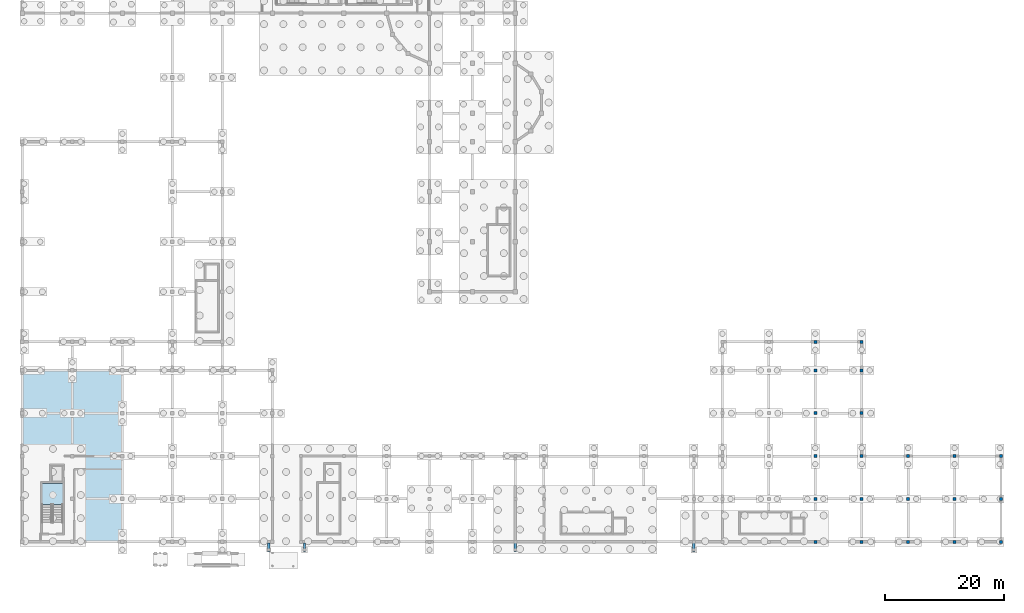
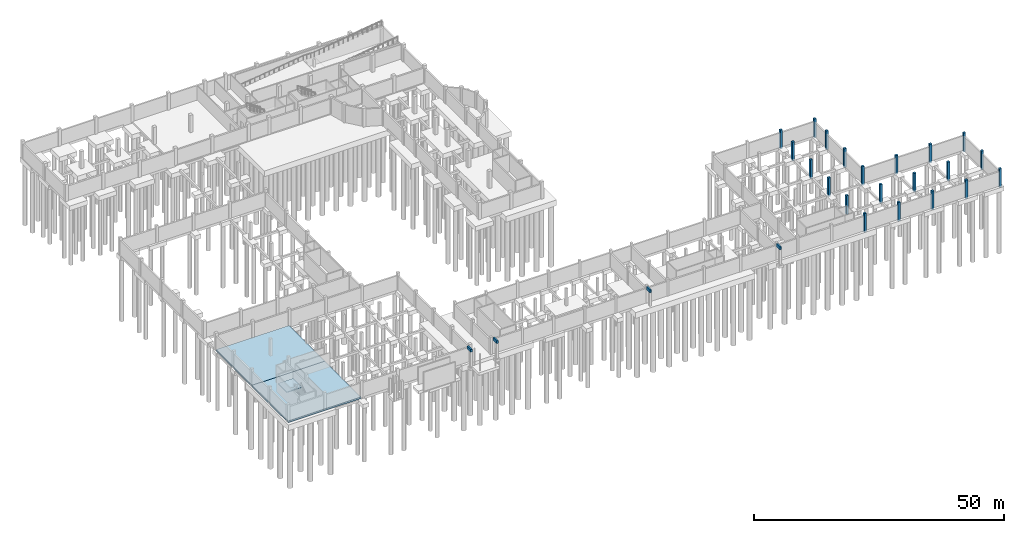
# One storey, part 13 of 22: 21 columns, 4 beams, 3 slabs, 1 element without a shape of its own.
"""IFC4 building model written with IfcOpenShell, lengths in metres."""

from ifc_helpers import new_model, si_unit, direction, frame, origin, origin_2d, place, context, subcontext, project, spatial, polyline, rectangle, outline, extrude, material, layer, layer_set, material_profile, profile_set, type_object, element, aggregate, save


model = new_model("IFC4")

# Units and contexts
model_context = context("Model", 3, precision=1e-05, world=origin(), true_north=direction((0.0, 1.0)))
body_context = subcontext(model_context, "Body", "Model", "MODEL_VIEW")
ifc_project = project(units=[si_unit("LENGTHUNIT", "METRE"), si_unit("AREAUNIT", "SQUARE_METRE"), si_unit("VOLUMEUNIT", "CUBIC_METRE"), si_unit("PLANEANGLEUNIT", "RADIAN"), si_unit("MASSUNIT", "GRAM", prefix="KILO")], contexts=[model_context])

# Site, building, storey
site_placement = place(None, origin())
site = spatial("IfcSite", under=ifc_project, at=site_placement, CompositionType="ELEMENT")
building_placement = place(site_placement, origin())
building = spatial("IfcBuilding", under=site, at=building_placement, Name="Kahlenmark Community Centre", CompositionType="ELEMENT")
storey_placement = place(building_placement, frame((0.0, 0.0, -4.199951171875)))
storey = spatial("IfcBuildingStorey", under=building, at=storey_placement, Name="B1", CompositionType="ELEMENT", Elevation=-4.199951171875)

# Columns
ifc_material_1 = material(Name="Concrete C35/45", Category="concrete")
ifc_material_profile_1 = material_profile(ifc_material_1, rectangle(XDim=0.5, YDim=0.5, at=origin_2d()), Name="RC 500x500")
ifc_profile_set_1 = profile_set([ifc_material_profile_1], Name="Concrete C35/45")
column_type = type_object("IfcColumnType", Name="CT-RC500", PredefinedType="COLUMN", material=ifc_profile_set_1)
for number, where, z_axis, x_axis, name in (
    (1, (137.199951171875, 8.800048828125, -0.400146484375), (0.0, 0.0, 1.0), (1.0, 0.0, 0.0), "B1 column (137.2, 8.8)"),
    (2, (137.199951171875, 16.0, -0.400146484375), (0.0, 0.0, 1.0), (1.0, 0.0, 0.0), "B1 column (137.2, 16.0)"),
    (3, (137.199951171875, 23.199951171875, -0.400146484375), (0.0, 0.0, 1.0), (1.0, 0.0, 0.0), "B1 column (137.2, 23.2)"),
    (4, (137.199951171875, 30.39990234375, -0.400146484375), (0.0, 0.0, 1.0), (1.0, 0.0, 0.0), "B1 column (137.2, 30.4)"),
    (5, (137.199951171875, 37.60009765625, -0.400146484375), (0.0, 0.0, 1.0), (1.0, 0.0, 0.0), "B1 column (137.2, 37.6)"),
    (6, (137.199951171875, 42.39990234375, -0.400146484375), (0.0, 0.0, 1.0), (1.0, 0.0, 0.0), "B1 column (137.2, 42.4)"),
    (7, (145.0, 8.800048828125, -0.400146484375), (0.0, 0.0, 1.0), (1.0, 0.0, 0.0), "B1 column (145.0, 8.8)"),
    (8, (145.0, 16.0, -0.400146484375), (0.0, 0.0, 1.0), (1.0, 0.0, 0.0), "B1 column (145.0, 16.0)"),
    (9, (145.0, 23.199951171875, -0.400146484375), (0.0, 0.0, 1.0), (1.0, 0.0, 0.0), "B1 column (145.0, 23.2)"),
    (10, (145.0, 30.39990234375, -0.400146484375), (0.0, 0.0, 1.0), (1.0, 0.0, 0.0), "B1 column (145.0, 30.4)"),
    (11, (145.0, 37.60009765625, -0.400146484375), (0.0, 0.0, 1.0), (1.0, 0.0, 0.0), "B1 column (145.0, 37.6)"),
    (12, (145.0, 42.39990234375, -0.400146484375), (0.0, 0.0, 1.0), (1.0, 0.0, 0.0), "B1 column (145.0, 42.4)"),
    (13, (152.800048828125, 8.800048828125, -0.400146484375), (0.0, 0.0, 1.0), (1.0, 0.0, 0.0), "B1 column (152.8, 8.8)"),
    (14, (152.800048828125, 16.0, -0.400146484375), (0.0, 0.0, 1.0), (1.0, 0.0, 0.0), "B1 column (152.8, 16.0)"),
    (15, (152.800048828125, 23.199951171875, -0.400146484375), (0.0, 0.0, 1.0), (1.0, 0.0, 0.0), "B1 column (152.8, 23.2)"),
    (16, (160.60009765625, 8.800048828125, -0.400146484375), (0.0, 0.0, 1.0), (1.0, 0.0, 0.0), "B1 column (160.6, 8.8)"),
    (17, (160.60009765625, 16.0, -0.400146484375), (0.0, 0.0, 1.0), (1.0, 0.0, 0.0), "B1 column (160.6, 16.0)"),
    (18, (160.60009765625, 23.199951171875, -0.400146484375), (0.0, 0.0, 1.0), (1.0, 0.0, 0.0), "B1 column (160.6, 23.2)"),
    (19, (168.39990234375, 8.800048828125, -0.400146484375), (0.0, 0.0, 1.0), (1.0, 0.0, 0.0), "B1 column (168.4, 8.8)"),
    (20, (168.39990234375, 16.0, -0.400146484375), (0.0, 0.0, 1.0), (1.0, 0.0, 0.0), "B1 column (168.4, 16.0)"),
    (21, (168.39990234375, 23.199951171875, -0.400146484375), (0.0, 0.0, 1.0), (1.0, 0.0, 0.0), "B1 column (168.4, 23.2)"),
):
    element("IfcColumn", number, at=place(storey_placement, frame(where, z_axis=z_axis, x_axis=x_axis)), inside=storey, type_object=column_type, Name=name, PredefinedType="COLUMN", context=body_context, shape_type="SweptSolid", body=[
        extrude(rectangle(XDim=0.5, YDim=0.5, at=origin_2d()), origin(), (0.0, 0.0, 1.0), 4.60009765625),
    ])

# Beams
ifc_material_profile_2 = material_profile(ifc_material_1, rectangle(XDim=0.39990234375, YDim=0.64990234375, at=origin_2d()), Name="RC 400x650")
ifc_profile_set_2 = profile_set([ifc_material_profile_2], Name="Concrete C35/45")
beam_type = type_object("IfcBeamType", Name="BT-RMP-SLEEPER", PredefinedType="BEAM", material=ifc_profile_set_2)
for number, where, z_axis, x_axis, name in (
    (22, (45.39990234375, 7.14990234375, 3.675048828125), (0.0, 1.0, 0.0), (-1.0, 0.0, 0.0), "Threshold ramp grade beam 01"),
    (23, (51.39990234375, 7.14990234375, 3.675048828125), (0.0, 1.0, 0.0), (-1.0, 0.0, 0.0), "Threshold ramp grade beam 02"),
    (24, (86.800048828125, 7.14990234375, 3.675048828125), (0.0, 1.0, 0.0), (-1.0, 0.0, 0.0), "Threshold ramp grade beam 03"),
    (25, (116.800048828125, 7.14990234375, 3.675048828125), (0.0, 1.0, 0.0), (-1.0, 0.0, 0.0), "Threshold ramp grade beam 04"),
):
    element("IfcBeam", number, at=place(storey_placement, frame(where, z_axis=z_axis, x_axis=x_axis)), inside=storey, type_object=beam_type, Name=name, PredefinedType="BEAM", context=body_context, shape_type="SweptSolid", body=[
        extrude(rectangle(XDim=0.39990234375, YDim=0.64990234375, at=origin_2d()), origin(), (0.0, 0.0, 1.0), 1.47021484375),
    ])

# Stair, slab
stair_type = type_object("IfcStairType", Name="STT-CORE-ST-01-175", PredefinedType="HALF_TURN_STAIR", material=ifc_material_1)
stair_placement = place(storey_placement, origin())
stair = element("IfcStair", 26, at=stair_placement, inside=storey, type_object=stair_type, Name="B1 Core K1 Escape Stair ST-01", PredefinedType="HALF_TURN_STAIR")
ifc_layer_1 = layer(ifc_material_1, 0.199951171875)
ifc_layer_set_1 = layer_set([ifc_layer_1], Name="Concrete C35/45")
slab_type_1 = type_object("IfcSlabType", Name="SLT-CORE-200", PredefinedType="LANDING", material=ifc_layer_set_1)
slab_1_placement = place(storey_placement, frame((0.0, 0.0, 1.89990234375)))
slab_1 = element("IfcSlab", 27, at=slab_1_placement, type_object=slab_type_1, Name="ST-01 landing 1", PredefinedType="LANDING", context=body_context, shape_type="SweptSolid", body=[
    extrude(outline(polyline([(10.800048828125, 15.080078125), (10.800048828125, 18.60009765625), (7.300048828125, 18.60009765625), (7.300048828125, 15.080078125), (10.800048828125, 15.080078125)])), origin(), (0.0, 0.0, 1.0), 0.199951171875),
])
aggregate(stair, [slab_1])

# Slabs
ifc_material_2 = material(Name="Concrete C30/37", Category="concrete")
ifc_layer_2 = layer(ifc_material_2, 0.39990234375)
ifc_layer_set_2 = layer_set([ifc_layer_2], Name="Concrete C30/37")
slab_type_2 = type_object("IfcSlabType", Name="ST-BS-400", PredefinedType="BASESLAB", material=ifc_layer_set_2)
slab_2_placement = place(storey_placement, frame((0.0, 0.0, -0.400146484375)))
element("IfcSlab", 28, at=slab_2_placement, inside=storey, type_object=slab_type_2, Name="B1 waterproof base slab V1 south", PredefinedType="BASESLAB", context=body_context, shape_type="SweptSolid", body=[
    extrude(outline(polyline([(4.0, 8.800048828125), (20.800048828125, 8.800048828125), (20.800048828125, 23.199951171875), (4.0, 23.199951171875), (4.0, 8.800048828125)])), origin(), (0.0, 0.0, 1.0), 0.400146484375),
])
slab_3_placement = place(storey_placement, frame((0.0, 0.0, -0.400146484375)))
element("IfcSlab", 29, at=slab_3_placement, inside=storey, type_object=slab_type_2, Name="B1 waterproof base slab V1 north", PredefinedType="BASESLAB", context=body_context, shape_type="SweptSolid", body=[
    extrude(outline(polyline([(4.0, 23.199951171875), (20.800048828125, 23.199951171875), (20.800048828125, 37.60009765625), (4.0, 37.60009765625), (4.0, 23.199951171875)])), origin(), (0.0, 0.0, 1.0), 0.400146484375),
])

save(model, "model.ifc")
